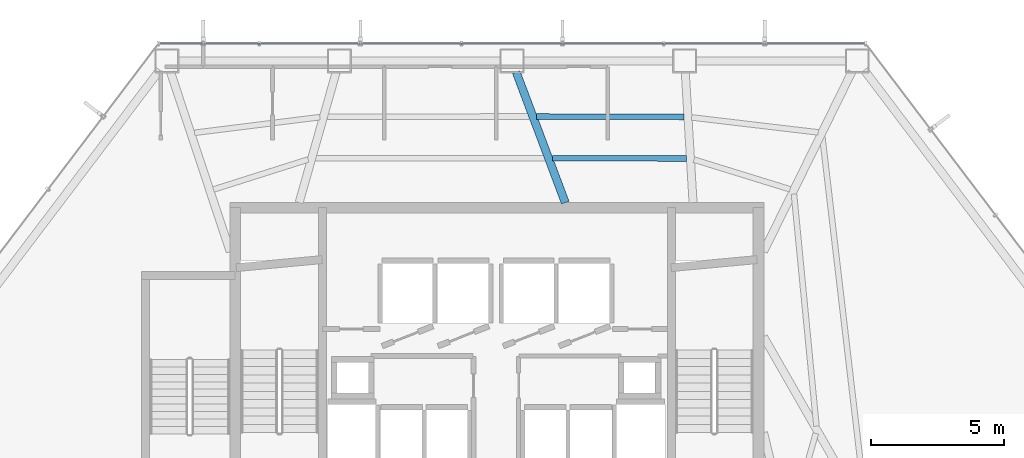
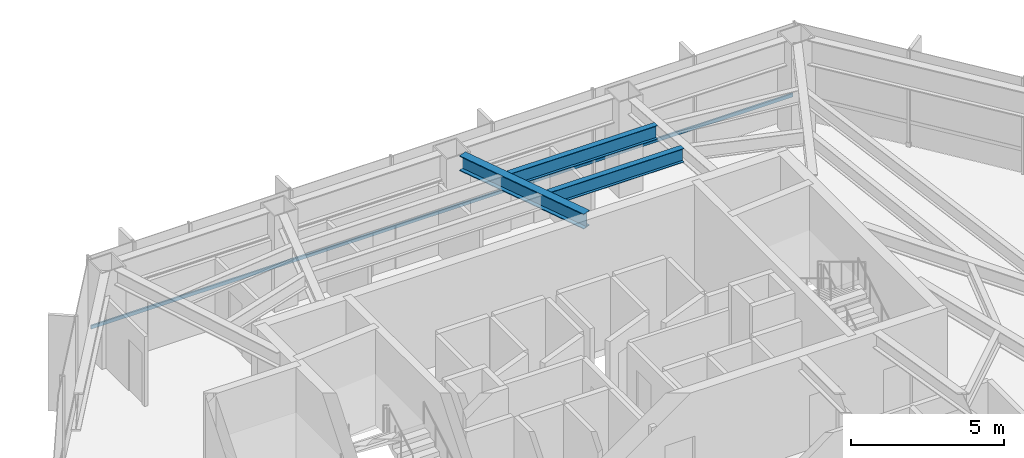
# One storey, part 13 of 25: 3 beams, 1 member, 1 element without a shape of its own.
"""IFC4 building model written with IfcOpenShell, lengths in metres."""

from ifc_helpers import new_model, si_unit, direction, frame, origin, origin_2d, place, context, subcontext, project, spatial, hollow_rectangle, i_section, extrude, material, layer, layer_set, material_profile, profile_set, type_object, element, aggregate, save


model = new_model("IFC4")

# Units and contexts
model_context = context("Model", 3, precision=1e-05, world=origin(), true_north=direction((0.0, 1.0)))
body_context = subcontext(model_context, "Body", "Model", "MODEL_VIEW")
ifc_project = project(units=[si_unit("LENGTHUNIT", "METRE"), si_unit("AREAUNIT", "SQUARE_METRE"), si_unit("VOLUMEUNIT", "CUBIC_METRE"), si_unit("PLANEANGLEUNIT", "RADIAN"), si_unit("MASSUNIT", "GRAM", prefix="KILO")], contexts=[model_context])

# Site, building, storey
site_placement = place(None, origin())
site = spatial("IfcSite", under=ifc_project, at=site_placement, CompositionType="ELEMENT")
building_placement = place(site_placement, origin())
building = spatial("IfcBuilding", under=site, at=building_placement, Name="Zarrinselat Tower", CompositionType="ELEMENT")
storey_placement = place(building_placement, frame((0.0, 0.0, 88.739990234375)))
storey = spatial("IfcBuildingStorey", under=building, at=storey_placement, Name="L21", CompositionType="ELEMENT", Elevation=88.739990234375)

# Beams
ifc_material_1 = material(Name="Steel S355J2", Category="steel")
ifc_material_profile_1 = material_profile(ifc_material_1, i_section(OverallWidth=0.300048828125, OverallDepth=0.60009765625, WebThickness=0.015380859375, FlangeThickness=0.030029296875, at=origin_2d()), Name="HEB 600")
ifc_profile_set_1 = profile_set([ifc_material_profile_1], Name="Steel S355J2")
beam_type_1 = type_object("IfcBeamType", Name="BM-HEB600", PredefinedType="BEAM", material=ifc_profile_set_1)
beam_1_placement = place(storey_placement, frame((39.156982421875, 48.543701171875, 3.52001953125), z_axis=(0.351807712904, -0.936072290553, 0.0), x_axis=(0.936072290553, 0.351807712904, 0.0)))
element("IfcBeam", 1, at=beam_1_placement, inside=storey, type_object=beam_type_1, Name="L21 Radial Primary Girder RG03", PredefinedType="BEAM", context=body_context, shape_type="SweptSolid", body=[
    extrude(i_section(OverallWidth=0.300048828125, OverallDepth=0.60009765625, WebThickness=0.015380859375, FlangeThickness=0.030029296875, at=origin_2d()), origin(), (0.0, 0.0, 1.0), 5.23876953125),
])
ifc_material_2 = material(Name="Steel S355J2", Category="steel")
ifc_material_profile_2 = material_profile(ifc_material_2, i_section(OverallWidth=0.2099609375, OverallDepth=0.550048828125, WebThickness=0.010986328125, FlangeThickness=0.01708984375, at=origin_2d()), Name="IPE 550")
ifc_profile_set_2 = profile_set([ifc_material_profile_2], Name="Steel S355J2")
beam_type_2 = type_object("IfcBeamType", Name="BM-IPE550", PredefinedType="JOIST", material=ifc_profile_set_2)
beam_2_placement = place(storey_placement, frame((39.923583984375, 46.8759765625, 3.544921875), z_axis=(0.999994975175, -0.003170114398, 0.0), x_axis=(0.003170114398, 0.999994975175, 0.0)))
element("IfcBeam", 2, at=beam_2_placement, inside=storey, type_object=beam_type_2, Name="L21 Composite Floor Joist 7-1", PredefinedType="JOIST", context=body_context, shape_type="SweptSolid", body=[
    extrude(i_section(OverallWidth=0.2099609375, OverallDepth=0.550048828125, WebThickness=0.010986328125, FlangeThickness=0.01708984375, at=origin_2d()), origin(), (0.0, 0.0, 1.0), 5.544921875),
])
beam_3_placement = place(storey_placement, frame((40.513427734375, 45.306884765625, 3.544921875), z_axis=(0.999998398823, -0.001789511548, 0.0), x_axis=(0.001789511548, 0.999998398823, 0.0)))
element("IfcBeam", 3, at=beam_3_placement, inside=storey, type_object=beam_type_2, Name="L21 Composite Floor Joist 7-2", PredefinedType="JOIST", context=body_context, shape_type="SweptSolid", body=[
    extrude(i_section(OverallWidth=0.2099609375, OverallDepth=0.550048828125, WebThickness=0.010986328125, FlangeThickness=0.01708984375, at=origin_2d()), origin(), (0.0, 0.0, 1.0), 5.0478515625),
])

# Curtain wall, member
ifc_material_3 = material(Name="Extruded Aluminium Alloy EN AW-6063 T6", Category="aluminium")
ifc_layer = layer(ifc_material_3, 0.18505859375)
ifc_layer_set = layer_set([ifc_layer], Name="Extruded Aluminium Alloy EN AW-6063 T6")
curtain_wall_type = type_object("IfcCurtainWallType", Name="CWS-OFF", PredefinedType="NOTDEFINED", material=ifc_layer_set)
curtain_wall_placement = place(storey_placement, origin())
curtain_wall = element("IfcCurtainWall", 4, at=curtain_wall_placement, inside=storey, type_object=curtain_wall_type, Name="L21 Unitised Curtain Wall CW-L21-E01", PredefinedType="NOTDEFINED")
ifc_material_4 = material(Name="Extruded Aluminium Alloy EN AW-6063 T6", Category="aluminium")
ifc_material_profile_3 = material_profile(ifc_material_4, hollow_rectangle(XDim=0.06005859375, YDim=0.139892578125, WallThickness=0.00390625, at=origin_2d()), Name="RHS 140x60x4")
ifc_profile_set_3 = profile_set([ifc_material_profile_3], Name="Extruded Aluminium Alloy EN AW-6063 T6")
member_type = type_object("IfcMemberType", Name="MEM-CW-TRN", PredefinedType="USERDEFINED", material=ifc_profile_set_3)
member_placement = place(storey_placement, frame((52.201416015625, 49.61669921875, 0.949951171875), z_axis=(-1.0, 0.0, 0.0), x_axis=(0.0, -1.0, 0.0)))
member = element("IfcMember", 5, at=member_placement, type_object=member_type, Name="CW-L21-E01 Transom 1", ObjectType="TRANSOM", PredefinedType="USERDEFINED", context=body_context, shape_type="SweptSolid", body=[
    extrude(hollow_rectangle(XDim=0.06005859375, YDim=0.139892578125, WallThickness=0.00390625, at=origin_2d()), origin(), (0.0, 0.0, 1.0), 26.406982421875),
])
aggregate(curtain_wall, [member])

save(model, "model.ifc")
